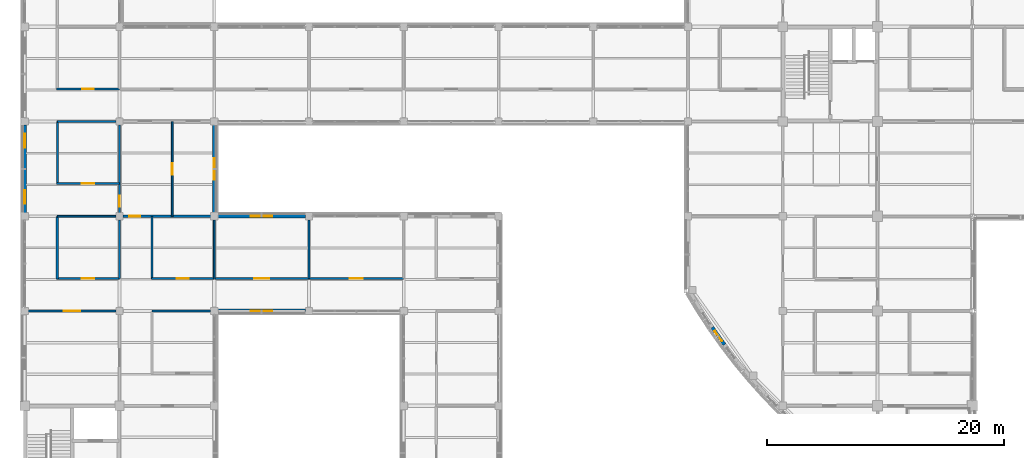
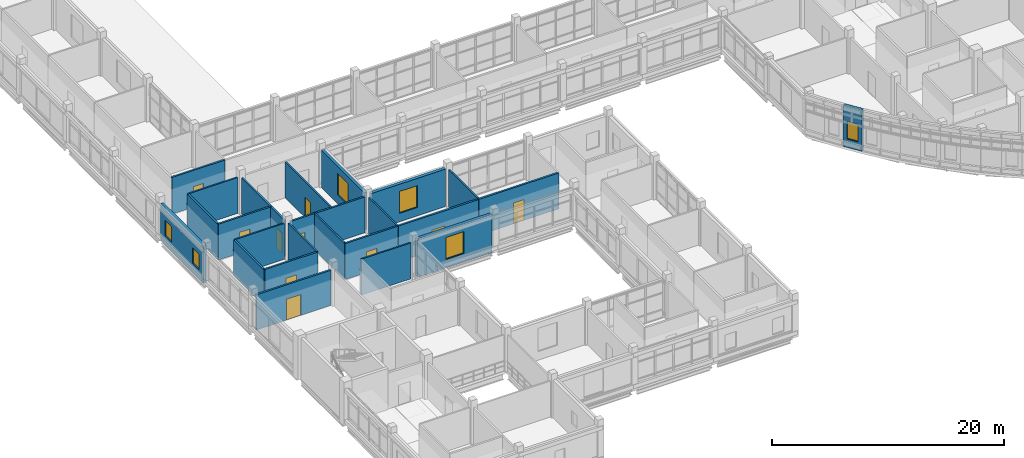
# One storey, part 78 of 121: 24 walls, 10 doors, 6 windows, 16 openings.
"""IFC4 building model written with IfcOpenShell, lengths in metres."""

import ifcopenshell
import ifcopenshell.guid

model = None  # the IFC model being written
_history = None  # IfcOwnerHistory: only IFC2X3 demands one
_inside = {}  # id of a spatial element -> (the spatial element, [elements in it])
_under = {}  # id of a project, library or spatial element -> (it, [spatial elements below it])
_declared = {}  # id of a project -> (the project, [libraries it declares])
_typed = {}  # id of a type object -> (the type object, [elements of that type])
_made_of = {}  # id of a material, layer set ... -> (it, [elements and type objects made of it])


def new_model(schema):
    """Start an empty IFC model of exactly this schema.

    Asked for "IFC4X3", IfcOpenShell would pick the latest addendum, in which some entities
    have other attributes; the version numbers below select the first issue.
    IFC2X3 requires an IfcOwnerHistory on every rooted entity: one is made here for all.
    """
    global model, _history
    if schema == "IFC4X3":
        model = ifcopenshell.file(schema_version=(4, 3, 0, 0))
    else:
        model = ifcopenshell.file(schema=schema)
    _inside.clear()
    _under.clear()
    _declared.clear()
    _typed.clear()
    _made_of.clear()
    _history = None
    if model.schema == "IFC2X3":
        org = make("IfcOrganization", Name="unknown")
        user = make(
            "IfcPersonAndOrganization",
            ThePerson=make("IfcPerson", FamilyName="unknown"),
            TheOrganization=org,
        )
        app = make(
            "IfcApplication",
            ApplicationDeveloper=org,
            Version="unknown",
            ApplicationFullName="unknown",
            ApplicationIdentifier="unknown",
        )
        _history = make(
            "IfcOwnerHistory",
            OwningUser=user,
            OwningApplication=app,
            ChangeAction="ADDED",
            CreationDate=0,
        )
    return model


def make(cls, **values):
    """One entity of the class cls with the attributes given. An attribute that is None is left unset."""
    return model.create_entity(
        cls, **{name: value for name, value in values.items() if value is not None}
    )


def rooted(cls, **values):
    """An entity with a GlobalId (a new one), such as an element, a storey or a relation."""
    return make(cls, GlobalId=ifcopenshell.guid.new(), OwnerHistory=_history, **values)


def si_unit(unit_type, name, prefix=None):
    """IfcSIUnit, for example si_unit("LENGTHUNIT", "METRE", prefix="MILLI")."""
    return make("IfcSIUnit", UnitType=unit_type, Prefix=prefix, Name=name)


def derived_unit(unit_type, elements):
    """IfcDerivedUnit: a product of units, each with its exponent."""
    return make(
        "IfcDerivedUnit",
        Elements=[
            make("IfcDerivedUnitElement", Unit=unit, Exponent=power)
            for unit, power in elements
        ],
        UnitType=unit_type,
    )


def assignment(units):
    """IfcUnitAssignment: the units of a project."""
    return None if units is None else make("IfcUnitAssignment", Units=units)


def point(xyz):
    """IfcCartesianPoint."""
    return None if xyz is None else make("IfcCartesianPoint", Coordinates=xyz)


def direction(xyz):
    """IfcDirection."""
    return None if xyz is None else make("IfcDirection", DirectionRatios=xyz)


def frame(location, z_axis=None, x_axis=None):
    """IfcAxis2Placement3D, a coordinate frame: its origin and axes. An axis left out is left unset."""
    return make(
        "IfcAxis2Placement3D",
        Location=point(location),
        Axis=direction(z_axis),
        RefDirection=direction(x_axis),
    )


def frame_2d(location, x_axis=None):
    """IfcAxis2Placement2D, a coordinate frame in the plane: its origin and x axis."""
    return make(
        "IfcAxis2Placement2D", Location=point(location), RefDirection=direction(x_axis)
    )


def origin():
    """The frame at (0, 0, 0) with its axes left unset."""
    return frame((0.0, 0.0, 0.0))


def place(relative_to, where):
    """IfcLocalPlacement: puts the frame where relative to a parent placement (None: the world)."""
    return make(
        "IfcLocalPlacement", PlacementRelTo=relative_to, RelativePlacement=where
    )


def context(
    kind, dimensions, precision=None, world=None, true_north=None, identifier=None
):
    """IfcGeometricRepresentationContext, for example the 3D "Model" context."""
    return make(
        "IfcGeometricRepresentationContext",
        ContextIdentifier=identifier,
        ContextType=kind,
        CoordinateSpaceDimension=dimensions,
        Precision=precision,
        WorldCoordinateSystem=world,
        TrueNorth=true_north,
    )


def subcontext(parent, identifier, kind, view, scale=None):
    """IfcGeometricRepresentationSubContext, for example "Body" below "Model"."""
    return make(
        "IfcGeometricRepresentationSubContext",
        ContextIdentifier=identifier,
        ContextType=kind,
        ParentContext=parent,
        TargetScale=scale,
        TargetView=view,
    )


def project(units=None, contexts=None):
    """IfcProject with its units and contexts."""
    return rooted(
        "IfcProject",
        Name="project",
        RepresentationContexts=contexts,
        UnitsInContext=assignment(units),
    )


def spatial(cls, under=None, at=None, **own):
    """A site, building, storey or space (cls), placed at a placement, below another one or the project."""
    s = rooted(cls, ObjectPlacement=at, **own)
    if under is not None:
        _under.setdefault(under.id(), (under, []))[1].append(s)
    return s


def profile(cls, at=None, kind="AREA", **sizes):
    """A parametric profile (cls). Its sizes go by their IFC names, for example OverallWidth=200.0."""
    return make(cls, ProfileType=kind, Position=at, **sizes)


def rectangle(**sizes):
    """IfcRectangleProfileDef."""
    return profile("IfcRectangleProfileDef", **sizes)


def extrude(swept, where, along, depth):
    """IfcExtrudedAreaSolid: the profile swept, set in the frame where, extruded along a direction by depth."""
    return make(
        "IfcExtrudedAreaSolid",
        SweptArea=swept,
        Position=where,
        ExtrudedDirection=direction(along),
        Depth=depth,
    )


def shape(context_of_items, identifier, shape_type, items):
    """IfcShapeRepresentation: the items that make up one representation, for example the "Body"."""
    return make(
        "IfcShapeRepresentation",
        ContextOfItems=context_of_items,
        RepresentationIdentifier=identifier,
        RepresentationType=shape_type,
        Items=items,
    )


def material(Name=None, Category=None):
    """IfcMaterial."""
    return make("IfcMaterial", Name=Name, Category=Category)


def layer(
    of_material, thickness, ventilated=None, Name=None, Category=None, Priority=None
):
    """IfcMaterialLayer: one layer of a wall or slab, of a material (None: an air gap)."""
    return make(
        "IfcMaterialLayer",
        Material=of_material,
        LayerThickness=thickness,
        IsVentilated=ventilated,
        Name=Name,
        Category=Category,
        Priority=Priority,
    )


def layer_set(layers, Name=None):
    """IfcMaterialLayerSet."""
    return make("IfcMaterialLayerSet", MaterialLayers=layers, LayerSetName=Name)


def made_of(thing, what):
    """Note that an element or type object is made of a material, layer set ...; save() writes the relation."""
    if what is not None:
        _made_of.setdefault(what.id(), (what, []))[1].append(thing)
    return thing


def type_object(cls, material=None, **own):
    """A type object (cls), such as IfcWallType, which elements share."""
    return made_of(rooted(cls, **own), material)


def element(
    cls,
    number,
    at=None,
    inside=None,
    cuts=None,
    type_object=None,
    material=None,
    context=None,
    identifier="Body",
    shape_type=None,
    held_by="IfcProductDefinitionShape",
    body=None,
    shapes=None,
    **own,
):
    """One element of the class cls, such as IfcWall. Its Tag is "e" and its number.

    at: its placement. inside: the storey or other place that contains it. cuts: it is an
    opening in that element (IfcRelVoidsElement). A single representation is given by context,
    identifier, shape_type and body (its items); several are given by shapes. held_by: the class
    of the entity that holds the representations. save() writes the other relations.
    """
    e = rooted(cls, Tag="e%d" % number, ObjectPlacement=at, **own)
    if body is not None:
        shapes = [shape(context, identifier, shape_type, body)]
    if shapes is not None:
        e.Representation = make(held_by, Representations=shapes)
    if inside is not None:
        _inside.setdefault(inside.id(), (inside, []))[1].append(e)
    if cuts is not None:
        rooted(
            "IfcRelVoidsElement", RelatingBuildingElement=cuts, RelatedOpeningElement=e
        )
    if type_object is not None:
        _typed.setdefault(type_object.id(), (type_object, []))[1].append(e)
    return made_of(e, material)


def fill(opening, filler):
    """IfcRelFillsElement: the door or window that sits in an opening."""
    return rooted(
        "IfcRelFillsElement",
        RelatingOpeningElement=opening,
        RelatedBuildingElement=filler,
    )


def aggregate(whole, parts):
    """IfcRelAggregates: a whole, such as a stair, and the parts it consists of."""
    return rooted("IfcRelAggregates", RelatingObject=whole, RelatedObjects=parts)


def save(model, path):
    """Write the relations noted so far, then the file.

    IfcRelAggregates (storeys below a building ...), IfcRelContainedInSpatialStructure (elements
    in a storey), IfcRelDefinesByType, IfcRelAssociatesMaterial and IfcRelDeclares: one each for
    every whole, place, type object, material and project.
    """
    for whole, parts in _under.values():
        aggregate(whole, parts)
    for where, things in _inside.values():
        rooted(
            "IfcRelContainedInSpatialStructure",
            RelatedElements=things,
            RelatingStructure=where,
        )
    for kind, things in _typed.values():
        rooted("IfcRelDefinesByType", RelatedObjects=things, RelatingType=kind)
    for what, things in _made_of.values():
        rooted("IfcRelAssociatesMaterial", RelatedObjects=things, RelatingMaterial=what)
    for by, libraries in _declared.values():
        rooted("IfcRelDeclares", RelatingContext=by, RelatedDefinitions=libraries)
    model.write(path)


model = new_model("IFC4")

# Units and contexts
model_context = context("Model", 3, precision=1e-05, world=origin(), true_north=direction((0.0, 1.0)))
body_context = subcontext(model_context, "Body", "Model", "MODEL_VIEW")
ifc_project = project(units=[si_unit("LENGTHUNIT", "METRE"), si_unit("AREAUNIT", "SQUARE_METRE"), si_unit("VOLUMEUNIT", "CUBIC_METRE"), si_unit("PLANEANGLEUNIT", "RADIAN"), si_unit("MASSUNIT", "GRAM", prefix="KILO"), derived_unit("THERMALTRANSMITTANCEUNIT", [(si_unit("MASSUNIT", "GRAM", prefix="KILO"), 1), (si_unit("TIMEUNIT", "SECOND"), -3), (si_unit("THERMODYNAMICTEMPERATUREUNIT", "KELVIN"), -1)])], contexts=[model_context])

# Site, building, storey
site_placement = place(None, origin())
site = spatial("IfcSite", under=ifc_project, at=site_placement, CompositionType="ELEMENT")
building_placement = place(site_placement, origin())
building = spatial("IfcBuilding", under=site, at=building_placement, Name="Veyamyaing Civic Hall", CompositionType="ELEMENT")
storey_placement = place(building_placement, frame((0.0, 0.0, 5.280029296875)))
storey = spatial("IfcBuildingStorey", under=building, at=storey_placement, Name="L01", CompositionType="ELEMENT", Elevation=5.280029296875)

# Wall, opening, window
ifc_material_1 = material(Name="Precast concrete C40/50", Category="concrete")
ifc_layer_1 = layer(ifc_material_1, 0.320068359375, Name="Precast concrete C40/50")
ifc_layer_set_1 = layer_set([ifc_layer_1], Name="Precast concrete C40/50")
wall_type_1 = type_object("IfcWallType", Name="WT-02", PredefinedType="SOLIDWALL", material=ifc_layer_set_1)
wall_1_placement = place(storey_placement, frame((16.284912109375, 32.0, 0.0), z_axis=(0.0, 0.0, 1.0), x_axis=(1.0, 0.0, 0.0)))
wall_1 = element("IfcWall", 1, at=wall_1_placement, inside=storey, type_object=wall_type_1, Name="Exterior facade wall WT-02 L01 S 3.5", PredefinedType="SOLIDWALL", context=body_context, shape_type="SweptSolid", body=[
    extrude(rectangle(XDim=7.43017578125, YDim=0.320068359375, at=frame_2d((3.715087890625, 0.0))), origin(), (0.0, 0.0, 1.0), 4.02197265625),
])
opening_1_placement = place(wall_1_placement, frame((2.81494140625, 0.0, 0.89990234375)))
opening_1 = element("IfcOpeningElement", 2, at=opening_1_placement, cuts=wall_1, Name="Opening W-06", PredefinedType="OPENING", context=body_context, shape_type="SweptSolid", body=[
    extrude(rectangle(XDim=1.800048828125, YDim=2.300048828125, at=frame_2d((0.89990234375, 1.14990234375))), frame((0.0, 0.169921875, 0.0), z_axis=(0.0, -1.0, 0.0), x_axis=(1.0, 0.0, 0.0)), (0.0, 0.0, 1.0), 0.340087890625),
])
ifc_material_2 = material(Name="Low-E insulated glass", Category="glass")
window_type_1 = type_object("IfcWindowType", Name="W-06", PartitioningType="SINGLE_PANEL", PredefinedType="WINDOW", material=ifc_material_2)
window_1_placement = place(opening_1_placement, origin())
window_1 = element("IfcWindow", 3, at=window_1_placement, inside=storey, type_object=window_type_1, Name="Facade window W-06 L01 S 3.5", OverallHeight=2.300048828125, OverallWidth=1.800048828125, PartitioningType="SINGLE_PANEL", PredefinedType="WINDOW", context=body_context, shape_type="SweptSolid", body=[
    extrude(rectangle(XDim=1.800048828125, YDim=2.300048828125, at=frame_2d((0.89990234375, 1.14990234375))), frame((0.0, 0.030029296875, 0.0), z_axis=(0.0, -1.0, 0.0), x_axis=(1.0, 0.0, 0.0)), (0.0, 0.0, 1.0), 0.06005859375),
])
fill(opening_1, window_1)

wall_2_placement = place(storey_placement, frame((16.284912109375, 40.0, 0.0), z_axis=(0.0, 0.0, 1.0), x_axis=(1.0, 0.0, 0.0)))
wall_2 = element("IfcWall", 4, at=wall_2_placement, inside=storey, type_object=wall_type_1, Name="Exterior facade wall WT-02 L01 N 3.5", PredefinedType="SOLIDWALL", context=body_context, shape_type="SweptSolid", body=[
    extrude(rectangle(XDim=7.43017578125, YDim=0.320068359375, at=frame_2d((3.715087890625, 0.0))), origin(), (0.0, 0.0, 1.0), 3.955078125),
])
opening_2_placement = place(wall_2_placement, frame((2.81494140625, 0.0, 0.89990234375)))
opening_2 = element("IfcOpeningElement", 5, at=opening_2_placement, cuts=wall_2, Name="Opening W-06", PredefinedType="OPENING", context=body_context, shape_type="SweptSolid", body=[
    extrude(rectangle(XDim=1.800048828125, YDim=2.300048828125, at=frame_2d((0.89990234375, 1.14990234375))), frame((0.0, 0.169921875, 0.0), z_axis=(0.0, -1.0, 0.0), x_axis=(1.0, 0.0, 0.0)), (0.0, 0.0, 1.0), 0.340087890625),
])
window_2_placement = place(opening_2_placement, origin())
window_2 = element("IfcWindow", 6, at=window_2_placement, inside=storey, type_object=window_type_1, Name="Facade window W-06 L01 N 3.5", OverallHeight=2.300048828125, OverallWidth=1.800048828125, PartitioningType="SINGLE_PANEL", PredefinedType="WINDOW", context=body_context, shape_type="SweptSolid", body=[
    extrude(rectangle(XDim=1.800048828125, YDim=2.300048828125, at=frame_2d((0.89990234375, 1.14990234375))), frame((0.0, 0.030029296875, 0.0), z_axis=(0.0, -1.0, 0.0), x_axis=(1.0, 0.0, 0.0)), (0.0, 0.0, 1.0), 0.06005859375),
])
fill(opening_2, window_2)

ifc_layer_2 = layer(ifc_material_1, 0.304931640625, Name="Precast concrete C40/50")
ifc_layer_set_2 = layer_set([ifc_layer_2], Name="Precast concrete C40/50")
wall_type_2 = type_object("IfcWallType", Name="WT-03", PredefinedType="SOLIDWALL", material=ifc_layer_set_2)
wall_3_placement = place(storey_placement, frame((58.0361328125, 30.61962890625, 0.0), z_axis=(0.0, 0.0, 1.0), x_axis=(0.578662393636, -0.815567185578, 0.0)))
wall_3 = element("IfcWall", 7, at=wall_3_placement, inside=storey, type_object=wall_type_2, Name="Curved corner facade wall WT-03 L01 SW.3", PredefinedType="SOLIDWALL", context=body_context, shape_type="SweptSolid", body=[
    extrude(rectangle(XDim=1.795166015625, YDim=0.304931640625, at=frame_2d((0.8974609375, 0.0))), origin(), (0.0, 0.0, 1.0), 4.3349609375),
])
opening_3_placement = place(wall_3_placement, frame((0.37255859375, 0.0, 0.89990234375)))
opening_3 = element("IfcOpeningElement", 8, at=opening_3_placement, cuts=wall_3, Name="Opening W-16", PredefinedType="OPENING", context=body_context, shape_type="SweptSolid", body=[
    extrude(rectangle(XDim=1.050048828125, YDim=1.85009765625, at=frame_2d((0.52490234375, 0.925048828125))), frame((0.0, 0.162353515625, 0.0), z_axis=(0.0, -1.0, 0.0), x_axis=(1.0, 0.0, 0.0)), (0.0, 0.0, 1.0), 0.324951171875),
])
window_type_2 = type_object("IfcWindowType", Name="W-16", PartitioningType="SINGLE_PANEL", PredefinedType="WINDOW", material=ifc_material_2)
window_3_placement = place(opening_3_placement, origin())
window_3 = element("IfcWindow", 9, at=window_3_placement, inside=storey, type_object=window_type_2, Name="Curved ribbon window W-16 L01 SW.3", OverallHeight=1.85009765625, OverallWidth=1.050048828125, PartitioningType="SINGLE_PANEL", PredefinedType="WINDOW", context=body_context, shape_type="SweptSolid", body=[
    extrude(rectangle(XDim=1.050048828125, YDim=1.85009765625, at=frame_2d((0.52490234375, 0.925048828125))), frame((0.0, 0.030029296875, 0.0), z_axis=(0.0, -1.0, 0.0), x_axis=(1.0, 0.0, 0.0)), (0.0, 0.0, 1.0), 0.06005859375),
])
fill(opening_3, window_3)

# Wall, openings, windows
ifc_layer_3 = layer(ifc_material_1, 0.280029296875, Name="Precast concrete C40/50")
ifc_layer_set_3 = layer_set([ifc_layer_3], Name="Precast concrete C40/50")
wall_type_3 = type_object("IfcWallType", Name="WT-04", PredefinedType="SOLIDWALL", material=ifc_layer_set_3)
wall_4_placement = place(storey_placement, frame((0.0, 40.284912109375, 0.0), z_axis=(0.0, 0.0, 1.0), x_axis=(0.0, 1.0, 0.0)))
wall_4 = element("IfcWall", 10, at=wall_4_placement, inside=storey, type_object=wall_type_3, Name="Exterior facade wall WT-04 L01 W 1.6", PredefinedType="SOLIDWALL", context=body_context, shape_type="SweptSolid", body=[
    extrude(rectangle(XDim=7.43017578125, YDim=0.280029296875, at=frame_2d((3.715087890625, 0.0))), origin(), (0.0, 0.0, 1.0), 3.9140625),
])
opening_4_placement = place(wall_4_placement, frame((0.762451171875, 0.0, 0.949951171875)))
opening_4 = element("IfcOpeningElement", 11, at=opening_4_placement, cuts=wall_4, Name="Opening W-32", PredefinedType="OPENING", context=body_context, shape_type="SweptSolid", body=[
    extrude(rectangle(XDim=1.14990234375, YDim=1.64990234375, at=frame_2d((0.574951171875, 0.824951171875))), frame((0.0, 0.14990234375, 0.0), z_axis=(0.0, -1.0, 0.0), x_axis=(1.0, 0.0, 0.0)), (0.0, 0.0, 1.0), 0.300048828125),
])
opening_5_placement = place(wall_4_placement, frame((5.517578125, 0.0, 0.949951171875)))
opening_5 = element("IfcOpeningElement", 12, at=opening_5_placement, cuts=wall_4, Name="Opening W-32", PredefinedType="OPENING", context=body_context, shape_type="SweptSolid", body=[
    extrude(rectangle(XDim=1.14990234375, YDim=1.64990234375, at=frame_2d((0.574951171875, 0.824951171875))), frame((0.0, 0.14990234375, 0.0), z_axis=(0.0, -1.0, 0.0), x_axis=(1.0, 0.0, 0.0)), (0.0, 0.0, 1.0), 0.300048828125),
])
window_type_3 = type_object("IfcWindowType", Name="W-32", PartitioningType="SINGLE_PANEL", PredefinedType="WINDOW", material=ifc_material_2)
window_4_placement = place(opening_4_placement, origin())
window_4 = element("IfcWindow", 13, at=window_4_placement, inside=storey, type_object=window_type_3, Name="Facade window W-32 L01 W 1.6.1", OverallHeight=1.64990234375, OverallWidth=1.14990234375, PartitioningType="SINGLE_PANEL", PredefinedType="WINDOW", context=body_context, shape_type="SweptSolid", body=[
    extrude(rectangle(XDim=1.14990234375, YDim=1.64990234375, at=frame_2d((0.574951171875, 0.824951171875))), frame((0.0, 0.030029296875, 0.0), z_axis=(0.0, -1.0, 0.0), x_axis=(1.0, 0.0, 0.0)), (0.0, 0.0, 1.0), 0.06005859375),
])
fill(opening_4, window_4)
window_5_placement = place(opening_5_placement, origin())
window_5 = element("IfcWindow", 14, at=window_5_placement, inside=storey, type_object=window_type_3, Name="Facade window W-32 L01 W 1.6.2", OverallHeight=1.64990234375, OverallWidth=1.14990234375, PartitioningType="SINGLE_PANEL", PredefinedType="WINDOW", context=body_context, shape_type="SweptSolid", body=[
    extrude(rectangle(XDim=1.14990234375, YDim=1.64990234375, at=frame_2d((0.574951171875, 0.824951171875))), frame((0.0, 0.030029296875, 0.0), z_axis=(0.0, -1.0, 0.0), x_axis=(1.0, 0.0, 0.0)), (0.0, 0.0, 1.0), 0.06005859375),
])
fill(opening_5, window_5)

# Wall, opening, window
wall_5_placement = place(storey_placement, frame((16.0, 40.284912109375, 0.0), z_axis=(0.0, 0.0, 1.0), x_axis=(0.0, 1.0, 0.0)))
wall_5 = element("IfcWall", 15, at=wall_5_placement, inside=storey, type_object=wall_type_3, Name="Exterior facade wall WT-04 L01 E 2.6", PredefinedType="SOLIDWALL", context=body_context, shape_type="SweptSolid", body=[
    extrude(rectangle(XDim=7.43017578125, YDim=0.280029296875, at=frame_2d((3.715087890625, 0.0))), origin(), (0.0, 0.0, 1.0), 3.909912109375),
])
opening_6_placement = place(wall_5_placement, frame((2.81494140625, 0.0, 0.89990234375)))
opening_6 = element("IfcOpeningElement", 16, at=opening_6_placement, cuts=wall_5, Name="Opening W-06", PredefinedType="OPENING", context=body_context, shape_type="SweptSolid", body=[
    extrude(rectangle(XDim=1.800048828125, YDim=2.300048828125, at=frame_2d((0.89990234375, 1.14990234375))), frame((0.0, 0.14990234375, 0.0), z_axis=(0.0, -1.0, 0.0), x_axis=(1.0, 0.0, 0.0)), (0.0, 0.0, 1.0), 0.300048828125),
])
window_6_placement = place(opening_6_placement, origin())
window_6 = element("IfcWindow", 17, at=window_6_placement, inside=storey, type_object=window_type_1, Name="Facade window W-06 L01 E 2.6", OverallHeight=2.300048828125, OverallWidth=1.800048828125, PartitioningType="SINGLE_PANEL", PredefinedType="WINDOW", context=body_context, shape_type="SweptSolid", body=[
    extrude(rectangle(XDim=1.800048828125, YDim=2.300048828125, at=frame_2d((0.89990234375, 1.14990234375))), frame((0.0, 0.030029296875, 0.0), z_axis=(0.0, -1.0, 0.0), x_axis=(1.0, 0.0, 0.0)), (0.0, 0.0, 1.0), 0.06005859375),
])
fill(opening_6, window_6)

# Wall, opening, door
ifc_material_3 = material(Name="Gypsum board on acoustic steel stud", Category="steel")
ifc_layer_4 = layer(ifc_material_3, 0.175048828125, Name="Gypsum board on acoustic steel stud")
ifc_layer_set_4 = layer_set([ifc_layer_4], Name="Gypsum board on acoustic steel stud")
wall_type_4 = type_object("IfcWallType", Name="WT-07", PredefinedType="PARTITIONING", material=ifc_layer_set_4)
wall_6_placement = place(storey_placement, frame((2.699951171875, 42.75, 0.0), z_axis=(0.0, 0.0, 1.0), x_axis=(1.0, 0.0, 0.0)))
wall_6 = element("IfcWall", 18, at=wall_6_placement, inside=storey, type_object=wall_type_4, Name="Corridor gallery partition WT-07 L01.3.1", PredefinedType="PARTITIONING", context=body_context, shape_type="SweptSolid", body=[
    extrude(rectangle(XDim=5.280029296875, YDim=0.175048828125, at=frame_2d((2.64013671875, 0.0))), origin(), (0.0, 0.0, 1.0), 3.781005859375),
])
opening_7_placement = place(wall_6_placement, frame((2.1201171875, 0.0, 0.0)))
opening_7 = element("IfcOpeningElement", 19, at=opening_7_placement, cuts=wall_6, Name="Opening D-24", PredefinedType="OPENING", context=body_context, shape_type="SweptSolid", body=[
    extrude(rectangle(XDim=1.0400390625, YDim=2.179931640625, at=frame_2d((0.52001953125, 1.08984375))), frame((0.0, 0.097412109375, 0.0), z_axis=(0.0, -1.0, 0.0), x_axis=(1.0, 0.0, 0.0)), (0.0, 0.0, 1.0), 0.195068359375),
])
ifc_material_4 = material(Name="Teak-veneered acoustic timber", Category="wood")
door_type_1 = type_object("IfcDoorType", Name="D-24", OperationType="NOTDEFINED", PredefinedType="DOOR", material=ifc_material_4)
door_1_placement = place(opening_7_placement, origin())
door_1 = element("IfcDoor", 20, at=door_1_placement, inside=storey, type_object=door_type_1, Name="Gallery office door D-24 L01.3", OperationType="SINGLE_SWING_LEFT", OverallHeight=2.179931640625, OverallWidth=1.0400390625, PredefinedType="DOOR", context=body_context, shape_type="SweptSolid", body=[
    extrude(rectangle(XDim=1.0400390625, YDim=2.179931640625, at=frame_2d((0.52001953125, 1.08984375))), frame((0.0, 0.02490234375, 0.0), z_axis=(0.0, -1.0, 0.0), x_axis=(1.0, 0.0, 0.0)), (0.0, 0.0, 1.0), 0.050048828125),
])
fill(opening_7, door_1)

# Wall
wall_7_placement = place(storey_placement, frame((2.75, 42.699951171875, 0.0), z_axis=(0.0, 0.0, 1.0), x_axis=(0.0, 1.0, 0.0)))
element("IfcWall", 21, at=wall_7_placement, inside=storey, type_object=wall_type_4, Name="Corridor gallery partition WT-07 L01.3.2", PredefinedType="PARTITIONING", context=body_context, shape_type="SweptSolid", body=[
    extrude(rectangle(XDim=5.280029296875, YDim=0.175048828125, at=frame_2d((2.64013671875, 0.0))), origin(), (0.0, 0.0, 1.0), 3.77099609375),
])

# Wall, opening, door
wall_8_placement = place(storey_placement, frame((10.699951171875, 34.75, 0.0), z_axis=(0.0, 0.0, 1.0), x_axis=(1.0, 0.0, 0.0)))
wall_8 = element("IfcWall", 22, at=wall_8_placement, inside=storey, type_object=wall_type_4, Name="Corridor gallery partition WT-07 L01.13.1", PredefinedType="PARTITIONING", context=body_context, shape_type="SweptSolid", body=[
    extrude(rectangle(XDim=5.280029296875, YDim=0.175048828125, at=frame_2d((2.64013671875, 0.0))), origin(), (0.0, 0.0, 1.0), 3.781005859375),
])
opening_8_placement = place(wall_8_placement, frame((2.1201171875, 0.0, 0.0)))
opening_8 = element("IfcOpeningElement", 23, at=opening_8_placement, cuts=wall_8, Name="Opening D-24", PredefinedType="OPENING", context=body_context, shape_type="SweptSolid", body=[
    extrude(rectangle(XDim=1.0400390625, YDim=2.179931640625, at=frame_2d((0.52001953125, 1.08984375))), frame((0.0, 0.097412109375, 0.0), z_axis=(0.0, -1.0, 0.0), x_axis=(1.0, 0.0, 0.0)), (0.0, 0.0, 1.0), 0.195068359375),
])
door_2_placement = place(opening_8_placement, origin())
door_2 = element("IfcDoor", 24, at=door_2_placement, inside=storey, type_object=door_type_1, Name="Gallery office door D-24 L01.13", OperationType="SINGLE_SWING_LEFT", OverallHeight=2.179931640625, OverallWidth=1.0400390625, PredefinedType="DOOR", context=body_context, shape_type="SweptSolid", body=[
    extrude(rectangle(XDim=1.0400390625, YDim=2.179931640625, at=frame_2d((0.52001953125, 1.08984375))), frame((0.0, 0.02490234375, 0.0), z_axis=(0.0, -1.0, 0.0), x_axis=(1.0, 0.0, 0.0)), (0.0, 0.0, 1.0), 0.050048828125),
])
fill(opening_8, door_2)

# Wall
wall_9_placement = place(storey_placement, frame((10.75, 34.699951171875, 0.0), z_axis=(0.0, 0.0, 1.0), x_axis=(0.0, 1.0, 0.0)))
element("IfcWall", 25, at=wall_9_placement, inside=storey, type_object=wall_type_4, Name="Corridor gallery partition WT-07 L01.13.2", PredefinedType="PARTITIONING", context=body_context, shape_type="SweptSolid", body=[
    extrude(rectangle(XDim=5.280029296875, YDim=0.175048828125, at=frame_2d((2.64013671875, 0.0))), origin(), (0.0, 0.0, 1.0), 3.77099609375),
])

# Wall, opening, door
wall_10_placement = place(storey_placement, frame((8.0, 40.2900390625, 0.0), z_axis=(0.0, 0.0, 1.0), x_axis=(0.0, 1.0, 0.0)))
wall_10 = element("IfcWall", 26, at=wall_10_placement, inside=storey, type_object=wall_type_4, Name="Interior partition wall WT-07 L01.5", PredefinedType="PARTITIONING", context=body_context, shape_type="SweptSolid", body=[
    extrude(rectangle(XDim=7.419921875, YDim=0.175048828125, at=frame_2d((3.7099609375, 0.0))), origin(), (0.0, 0.0, 1.0), 3.781005859375),
])
opening_9_placement = place(wall_10_placement, frame((0.52001953125, 0.0, 0.0)))
opening_9 = element("IfcOpeningElement", 27, at=opening_9_placement, cuts=wall_10, Name="Opening D-30", PredefinedType="OPENING", context=body_context, shape_type="SweptSolid", body=[
    extrude(rectangle(XDim=0.93994140625, YDim=2.1201171875, at=frame_2d((0.469970703125, 1.06005859375))), frame((0.0, 0.097412109375, 0.0), z_axis=(0.0, -1.0, 0.0), x_axis=(1.0, 0.0, 0.0)), (0.0, 0.0, 1.0), 0.195068359375),
])
door_type_2 = type_object("IfcDoorType", Name="D-30", OperationType="NOTDEFINED", PredefinedType="DOOR", material=ifc_material_4)
door_3_placement = place(opening_9_placement, frame((0.93994140625, 0.0, 0.0), z_axis=(0.0, 0.0, 1.0), x_axis=(-1.0, 0.0, 0.0)))
door_3 = element("IfcDoor", 28, at=door_3_placement, inside=storey, type_object=door_type_2, Name="Interior door D-30 L01.5", OperationType="SINGLE_SWING_LEFT", OverallHeight=2.1201171875, OverallWidth=0.93994140625, PredefinedType="DOOR", context=body_context, shape_type="SweptSolid", body=[
    extrude(rectangle(XDim=0.93994140625, YDim=2.1201171875, at=frame_2d((0.469970703125, 1.06005859375))), frame((0.0, 0.02490234375, 0.0), z_axis=(0.0, -1.0, 0.0), x_axis=(1.0, 0.0, 0.0)), (0.0, 0.0, 1.0), 0.050048828125),
])
fill(opening_9, door_3)

wall_11_placement = place(storey_placement, frame((8.2900390625, 40.0, 0.0), z_axis=(0.0, 0.0, 1.0), x_axis=(1.0, 0.0, 0.0)))
wall_11 = element("IfcWall", 29, at=wall_11_placement, inside=storey, type_object=wall_type_4, Name="Interior partition wall WT-07 L01.11", PredefinedType="PARTITIONING", context=body_context, shape_type="SweptSolid", body=[
    extrude(rectangle(XDim=7.419921875, YDim=0.175048828125, at=frame_2d((3.7099609375, 0.0))), origin(), (0.0, 0.0, 1.0), 3.77099609375),
])
opening_10_placement = place(wall_11_placement, frame((0.52001953125, 0.0, 0.0)))
opening_10 = element("IfcOpeningElement", 30, at=opening_10_placement, cuts=wall_11, Name="Opening D-30", PredefinedType="OPENING", context=body_context, shape_type="SweptSolid", body=[
    extrude(rectangle(XDim=0.93994140625, YDim=2.1201171875, at=frame_2d((0.469970703125, 1.06005859375))), frame((0.0, 0.097412109375, 0.0), z_axis=(0.0, -1.0, 0.0), x_axis=(1.0, 0.0, 0.0)), (0.0, 0.0, 1.0), 0.195068359375),
])
door_4_placement = place(opening_10_placement, origin())
door_4 = element("IfcDoor", 31, at=door_4_placement, inside=storey, type_object=door_type_2, Name="Interior door D-30 L01.11", OperationType="SINGLE_SWING_RIGHT", OverallHeight=2.1201171875, OverallWidth=0.93994140625, PredefinedType="DOOR", context=body_context, shape_type="SweptSolid", body=[
    extrude(rectangle(XDim=0.93994140625, YDim=2.1201171875, at=frame_2d((0.469970703125, 1.06005859375))), frame((0.0, 0.02490234375, 0.0), z_axis=(0.0, -1.0, 0.0), x_axis=(1.0, 0.0, 0.0)), (0.0, 0.0, 1.0), 0.050048828125),
])
fill(opening_10, door_4)

# Walls
ifc_material_5 = material(Name="Gypsum board on steel stud", Category="steel")
ifc_layer_5 = layer(ifc_material_5, 0.14990234375, Name="Gypsum board on steel stud")
ifc_layer_set_5 = layer_set([ifc_layer_5], Name="Gypsum board on steel stud")
wall_type_5 = type_object("IfcWallType", Name="WT-08", PredefinedType="PARTITIONING", material=ifc_layer_set_5)
wall_12_placement = place(storey_placement, frame((2.75, 40.0, 0.0), z_axis=(0.0, 0.0, 1.0), x_axis=(1.0, 0.0, 0.0)))
element("IfcWall", 32, at=wall_12_placement, inside=storey, type_object=wall_type_5, Name="Gallery office end partition WT-08 L01.2.1", PredefinedType="PARTITIONING", context=body_context, shape_type="SweptSolid", body=[
    extrude(rectangle(XDim=4.93994140625, YDim=0.14990234375, at=frame_2d((2.469970703125, 0.0))), origin(), (0.0, 0.0, 1.0), 3.786865234375),
])
wall_13_placement = place(storey_placement, frame((8.0, 34.75, 0.0), z_axis=(0.0, 0.0, 1.0), x_axis=(0.0, 1.0, 0.0)))
element("IfcWall", 33, at=wall_13_placement, inside=storey, type_object=wall_type_5, Name="Gallery office end partition WT-08 L01.2.2", PredefinedType="PARTITIONING", context=body_context, shape_type="SweptSolid", body=[
    extrude(rectangle(XDim=4.93994140625, YDim=0.14990234375, at=frame_2d((2.469970703125, 0.0))), origin(), (0.0, 0.0, 1.0), 3.85693359375),
])
wall_14_placement = place(storey_placement, frame((2.75, 48.0, 0.0), z_axis=(0.0, 0.0, 1.0), x_axis=(1.0, 0.0, 0.0)))
element("IfcWall", 34, at=wall_14_placement, inside=storey, type_object=wall_type_5, Name="Gallery office end partition WT-08 L01.3.1", PredefinedType="PARTITIONING", context=body_context, shape_type="SweptSolid", body=[
    extrude(rectangle(XDim=4.93994140625, YDim=0.14990234375, at=frame_2d((2.469970703125, 0.0))), origin(), (0.0, 0.0, 1.0), 3.77099609375),
])
wall_15_placement = place(storey_placement, frame((10.75, 32.0, 0.0), z_axis=(0.0, 0.0, 1.0), x_axis=(1.0, 0.0, 0.0)))
element("IfcWall", 35, at=wall_15_placement, inside=storey, type_object=wall_type_5, Name="Gallery office end partition WT-08 L01.12.1", PredefinedType="PARTITIONING", context=body_context, shape_type="SweptSolid", body=[
    extrude(rectangle(XDim=4.93994140625, YDim=0.14990234375, at=frame_2d((2.469970703125, 0.0))), origin(), (0.0, 0.0, 1.0), 3.786865234375),
])
wall_16_placement = place(storey_placement, frame((16.0, 34.75, 0.0), z_axis=(0.0, 0.0, 1.0), x_axis=(0.0, 1.0, 0.0)))
element("IfcWall", 36, at=wall_16_placement, inside=storey, type_object=wall_type_5, Name="Gallery office end partition WT-08 L01.13.2", PredefinedType="PARTITIONING", context=body_context, shape_type="SweptSolid", body=[
    extrude(rectangle(XDim=4.93994140625, YDim=0.14990234375, at=frame_2d((2.469970703125, 0.0))), origin(), (0.0, 0.0, 1.0), 3.781005859375),
])
wall_17_placement = place(storey_placement, frame((24.0, 34.75, 0.0), z_axis=(0.0, 0.0, 1.0), x_axis=(0.0, 1.0, 0.0)))
element("IfcWall", 37, at=wall_17_placement, inside=storey, type_object=wall_type_5, Name="Gallery office end partition WT-08 L01.16.2", PredefinedType="PARTITIONING", context=body_context, shape_type="SweptSolid", body=[
    extrude(rectangle(XDim=4.93994140625, YDim=0.14990234375, at=frame_2d((2.469970703125, 0.0))), origin(), (0.0, 0.0, 1.0), 3.89599609375),
])

# Wall, opening, door
ifc_layer_6 = layer(ifc_material_5, 0.135009765625, Name="Gypsum board on steel stud")
ifc_layer_set_6 = layer_set([ifc_layer_6], Name="Gypsum board on steel stud")
wall_type_6 = type_object("IfcWallType", Name="WT-15", PredefinedType="PARTITIONING", material=ifc_layer_set_6)
wall_18_placement = place(storey_placement, frame((12.449951171875, 40.02001953125, 0.0), z_axis=(0.0, 0.0, 1.0), x_axis=(0.0, 1.0, 0.0)))
wall_18 = element("IfcWall", 38, at=wall_18_placement, inside=storey, type_object=wall_type_6, Name="Sub-bay room partition WT-15 L01.1", PredefinedType="PARTITIONING", context=body_context, shape_type="SweptSolid", body=[
    extrude(rectangle(XDim=7.9599609375, YDim=0.135009765625, at=frame_2d((3.97998046875, 0.0))), origin(), (0.0, 0.0, 1.0), 3.77099609375),
])
opening_11_placement = place(wall_18_placement, frame((3.489990234375, 0.0, 0.0)))
opening_11 = element("IfcOpeningElement", 39, at=opening_11_placement, cuts=wall_18, Name="Opening D-14", PredefinedType="OPENING", context=body_context, shape_type="SweptSolid", body=[
    extrude(rectangle(XDim=0.97998046875, YDim=2.14990234375, at=frame_2d((0.489990234375, 1.074951171875))), frame((0.0, 0.077392578125, 0.0), z_axis=(0.0, -1.0, 0.0), x_axis=(1.0, 0.0, 0.0)), (0.0, 0.0, 1.0), 0.155029296875),
])
door_type_3 = type_object("IfcDoorType", Name="D-14", OperationType="NOTDEFINED", PredefinedType="DOOR", material=ifc_material_4)
door_5_placement = place(opening_11_placement, origin())
door_5 = element("IfcDoor", 40, at=door_5_placement, inside=storey, type_object=door_type_3, Name="Suite connecting door D-14 L01.1", OperationType="SINGLE_SWING_RIGHT", OverallHeight=2.14990234375, OverallWidth=0.97998046875, PredefinedType="DOOR", context=body_context, shape_type="SweptSolid", body=[
    extrude(rectangle(XDim=0.97998046875, YDim=2.14990234375, at=frame_2d((0.489990234375, 1.074951171875))), frame((0.0, 0.02490234375, 0.0), z_axis=(0.0, -1.0, 0.0), x_axis=(1.0, 0.0, 0.0)), (0.0, 0.0, 1.0), 0.050048828125),
])
fill(opening_11, door_5)

ifc_material_6 = material(Name="Gypsum board on double acoustic stud")
ifc_layer_7 = layer(ifc_material_6, 0.18505859375, Name="Gypsum board on double acoustic stud")
ifc_layer_set_7 = layer_set([ifc_layer_7], Name="Gypsum board on double acoustic stud")
wall_type_7 = type_object("IfcWallType", Name="WT-19", PredefinedType="PARTITIONING", material=ifc_layer_set_7)
wall_19_placement = place(storey_placement, frame((2.699951171875, 34.75, 0.0), z_axis=(0.0, 0.0, 1.0), x_axis=(1.0, 0.0, 0.0)))
wall_19 = element("IfcWall", 41, at=wall_19_placement, inside=storey, type_object=wall_type_7, Name="Corridor gallery partition WT-19 L01.2.1", PredefinedType="PARTITIONING", context=body_context, shape_type="SweptSolid", body=[
    extrude(rectangle(XDim=5.280029296875, YDim=0.18505859375, at=frame_2d((2.64013671875, 0.0))), origin(), (0.0, 0.0, 1.0), 3.85693359375),
])
opening_12_placement = place(wall_19_placement, frame((2.10009765625, 0.0, 0.0)))
opening_12 = element("IfcOpeningElement", 42, at=opening_12_placement, cuts=wall_19, Name="Opening D-23", PredefinedType="OPENING", context=body_context, shape_type="SweptSolid", body=[
    extrude(rectangle(XDim=1.080078125, YDim=2.199951171875, at=frame_2d((0.5400390625, 1.10009765625))), frame((0.0, 0.1025390625, 0.0), z_axis=(0.0, -1.0, 0.0), x_axis=(1.0, 0.0, 0.0)), (0.0, 0.0, 1.0), 0.205078125),
])
door_type_4 = type_object("IfcDoorType", Name="D-23", OperationType="NOTDEFINED", PredefinedType="DOOR", material=ifc_material_4)
door_6_placement = place(opening_12_placement, origin())
door_6 = element("IfcDoor", 43, at=door_6_placement, inside=storey, type_object=door_type_4, Name="Gallery office door D-23 L01.2", OperationType="SINGLE_SWING_RIGHT", OverallHeight=2.199951171875, OverallWidth=1.080078125, PredefinedType="DOOR", context=body_context, shape_type="SweptSolid", body=[
    extrude(rectangle(XDim=1.080078125, YDim=2.199951171875, at=frame_2d((0.5400390625, 1.10009765625))), frame((0.0, 0.02490234375, 0.0), z_axis=(0.0, -1.0, 0.0), x_axis=(1.0, 0.0, 0.0)), (0.0, 0.0, 1.0), 0.050048828125),
])
fill(opening_12, door_6)

# Wall
wall_20_placement = place(storey_placement, frame((2.75, 34.699951171875, 0.0), z_axis=(0.0, 0.0, 1.0), x_axis=(0.0, 1.0, 0.0)))
element("IfcWall", 44, at=wall_20_placement, inside=storey, type_object=wall_type_7, Name="Corridor gallery partition WT-19 L01.2.2", PredefinedType="PARTITIONING", context=body_context, shape_type="SweptSolid", body=[
    extrude(rectangle(XDim=5.280029296875, YDim=0.18505859375, at=frame_2d((2.64013671875, 0.0))), origin(), (0.0, 0.0, 1.0), 3.786865234375),
])

# Wall, opening, door
wall_21_placement = place(storey_placement, frame((2.699951171875, 50.75, 0.0), z_axis=(0.0, 0.0, 1.0), x_axis=(1.0, 0.0, 0.0)))
wall_21 = element("IfcWall", 45, at=wall_21_placement, inside=storey, type_object=wall_type_7, Name="Corridor gallery partition WT-19 L01.4.1", PredefinedType="PARTITIONING", context=body_context, shape_type="SweptSolid", body=[
    extrude(rectangle(XDim=5.280029296875, YDim=0.18505859375, at=frame_2d((2.64013671875, 0.0))), origin(), (0.0, 0.0, 1.0), 3.85107421875),
])
opening_13_placement = place(wall_21_placement, frame((2.159912109375, 0.0, 0.0)))
opening_13 = element("IfcOpeningElement", 46, at=opening_13_placement, cuts=wall_21, Name="Opening D-25", PredefinedType="OPENING", context=body_context, shape_type="SweptSolid", body=[
    extrude(rectangle(XDim=0.9599609375, YDim=2.139892578125, at=frame_2d((0.47998046875, 1.06982421875))), frame((0.0, 0.1025390625, 0.0), z_axis=(0.0, -1.0, 0.0), x_axis=(1.0, 0.0, 0.0)), (0.0, 0.0, 1.0), 0.205078125),
])
door_type_5 = type_object("IfcDoorType", Name="D-25", OperationType="NOTDEFINED", PredefinedType="DOOR", material=ifc_material_4)
door_7_placement = place(opening_13_placement, origin())
door_7 = element("IfcDoor", 47, at=door_7_placement, inside=storey, type_object=door_type_5, Name="Gallery office door D-25 L01.4", OperationType="SINGLE_SWING_RIGHT", OverallHeight=2.139892578125, OverallWidth=0.9599609375, PredefinedType="DOOR", context=body_context, shape_type="SweptSolid", body=[
    extrude(rectangle(XDim=0.9599609375, YDim=2.139892578125, at=frame_2d((0.47998046875, 1.06982421875))), frame((0.0, 0.02490234375, 0.0), z_axis=(0.0, -1.0, 0.0), x_axis=(1.0, 0.0, 0.0)), (0.0, 0.0, 1.0), 0.050048828125),
])
fill(opening_13, door_7)

wall_22_placement = place(storey_placement, frame((16.02001953125, 34.75, 0.0), z_axis=(0.0, 0.0, 1.0), x_axis=(1.0, 0.0, 0.0)))
wall_22 = element("IfcWall", 48, at=wall_22_placement, inside=storey, type_object=wall_type_7, Name="Corridor gallery partition WT-19 L01.16.1", PredefinedType="PARTITIONING", context=body_context, shape_type="SweptSolid", body=[
    extrude(rectangle(XDim=7.9599609375, YDim=0.18505859375, at=frame_2d((3.97998046875, 0.0))), origin(), (0.0, 0.0, 1.0), 3.781005859375),
])
opening_14_placement = place(wall_22_placement, frame((3.35498046875, 0.0, 0.0)))
opening_14 = element("IfcOpeningElement", 49, at=opening_14_placement, cuts=wall_22, Name="Opening D-29", PredefinedType="OPENING", context=body_context, shape_type="SweptSolid", body=[
    extrude(rectangle(XDim=1.25, YDim=2.179931640625, at=frame_2d((0.625, 1.08984375))), frame((0.0, 0.1025390625, 0.0), z_axis=(0.0, -1.0, 0.0), x_axis=(1.0, 0.0, 0.0)), (0.0, 0.0, 1.0), 0.205078125),
])
door_type_6 = type_object("IfcDoorType", Name="D-29", OperationType="NOTDEFINED", PredefinedType="DOOR", material=ifc_material_4)
door_8_placement = place(opening_14_placement, origin())
door_8 = element("IfcDoor", 50, at=door_8_placement, inside=storey, type_object=door_type_6, Name="Gallery office door D-29 L01.16", OperationType="SINGLE_SWING_RIGHT", OverallHeight=2.179931640625, OverallWidth=1.25, PredefinedType="DOOR", context=body_context, shape_type="SweptSolid", body=[
    extrude(rectangle(XDim=1.25, YDim=2.179931640625, at=frame_2d((0.625, 1.08984375))), frame((0.0, 0.02490234375, 0.0), z_axis=(0.0, -1.0, 0.0), x_axis=(1.0, 0.0, 0.0)), (0.0, 0.0, 1.0), 0.050048828125),
])
fill(opening_14, door_8)

wall_23_placement = place(storey_placement, frame((24.02001953125, 34.75, 0.0), z_axis=(0.0, 0.0, 1.0), x_axis=(1.0, 0.0, 0.0)))
wall_23 = element("IfcWall", 51, at=wall_23_placement, inside=storey, type_object=wall_type_7, Name="Corridor gallery partition WT-19 L01.22.1", PredefinedType="PARTITIONING", context=body_context, shape_type="SweptSolid", body=[
    extrude(rectangle(XDim=7.9599609375, YDim=0.18505859375, at=frame_2d((3.97998046875, 0.0))), origin(), (0.0, 0.0, 1.0), 3.786865234375),
])
opening_15_placement = place(wall_23_placement, frame((3.43994140625, 0.0, 0.0)))
opening_15 = element("IfcOpeningElement", 52, at=opening_15_placement, cuts=wall_23, Name="Opening D-23", PredefinedType="OPENING", context=body_context, shape_type="SweptSolid", body=[
    extrude(rectangle(XDim=1.080078125, YDim=2.199951171875, at=frame_2d((0.5400390625, 1.10009765625))), frame((0.0, 0.1025390625, 0.0), z_axis=(0.0, -1.0, 0.0), x_axis=(1.0, 0.0, 0.0)), (0.0, 0.0, 1.0), 0.205078125),
])
door_9_placement = place(opening_15_placement, origin())
door_9 = element("IfcDoor", 53, at=door_9_placement, inside=storey, type_object=door_type_4, Name="Gallery office door D-23 L01.22", OperationType="SINGLE_SWING_RIGHT", OverallHeight=2.199951171875, OverallWidth=1.080078125, PredefinedType="DOOR", context=body_context, shape_type="SweptSolid", body=[
    extrude(rectangle(XDim=1.080078125, YDim=2.199951171875, at=frame_2d((0.5400390625, 1.10009765625))), frame((0.0, 0.02490234375, 0.0), z_axis=(0.0, -1.0, 0.0), x_axis=(1.0, 0.0, 0.0)), (0.0, 0.0, 1.0), 0.050048828125),
])
fill(opening_15, door_9)

wall_24_placement = place(storey_placement, frame((0.2900390625, 32.0, 0.0), z_axis=(0.0, 0.0, 1.0), x_axis=(1.0, 0.0, 0.0)))
wall_24 = element("IfcWall", 54, at=wall_24_placement, inside=storey, type_object=wall_type_7, Name="Interior partition wall WT-19 L01.4", PredefinedType="PARTITIONING", context=body_context, shape_type="SweptSolid", body=[
    extrude(rectangle(XDim=7.419921875, YDim=0.18505859375, at=frame_2d((3.7099609375, 0.0))), origin(), (0.0, 0.0, 1.0), 3.7119140625),
])
opening_16_placement = place(wall_24_placement, frame((3.010009765625, 0.0, 0.0)))
opening_16 = element("IfcOpeningElement", 55, at=opening_16_placement, cuts=wall_24, Name="Opening D-11", PredefinedType="OPENING", context=body_context, shape_type="SweptSolid", body=[
    extrude(rectangle(XDim=1.39990234375, YDim=2.199951171875, at=frame_2d((0.699951171875, 1.10009765625))), frame((0.0, 0.1025390625, 0.0), z_axis=(0.0, -1.0, 0.0), x_axis=(1.0, 0.0, 0.0)), (0.0, 0.0, 1.0), 0.205078125),
])
ifc_material_7 = material(Name="Anodised aluminium 6063-T6", Category="aluminium")
door_type_7 = type_object("IfcDoorType", Name="D-11", OperationType="DOUBLE_DOOR_SINGLE_SWING", PredefinedType="DOOR", material=ifc_material_7)
door_10_placement = place(opening_16_placement, frame((1.39990234375, 0.0, 0.0), z_axis=(0.0, 0.0, 1.0), x_axis=(-1.0, 0.0, 0.0)))
door_10 = element("IfcDoor", 56, at=door_10_placement, inside=storey, type_object=door_type_7, Name="Interior door D-11 L01.4", OperationType="DOUBLE_DOOR_SINGLE_SWING", OverallHeight=2.199951171875, OverallWidth=1.39990234375, PredefinedType="DOOR", context=body_context, shape_type="SweptSolid", body=[
    extrude(rectangle(XDim=1.39990234375, YDim=2.199951171875, at=frame_2d((0.699951171875, 1.10009765625))), frame((0.0, 0.02490234375, 0.0), z_axis=(0.0, -1.0, 0.0), x_axis=(1.0, 0.0, 0.0)), (0.0, 0.0, 1.0), 0.050048828125),
])
fill(opening_16, door_10)

save(model, "model.ifc")
